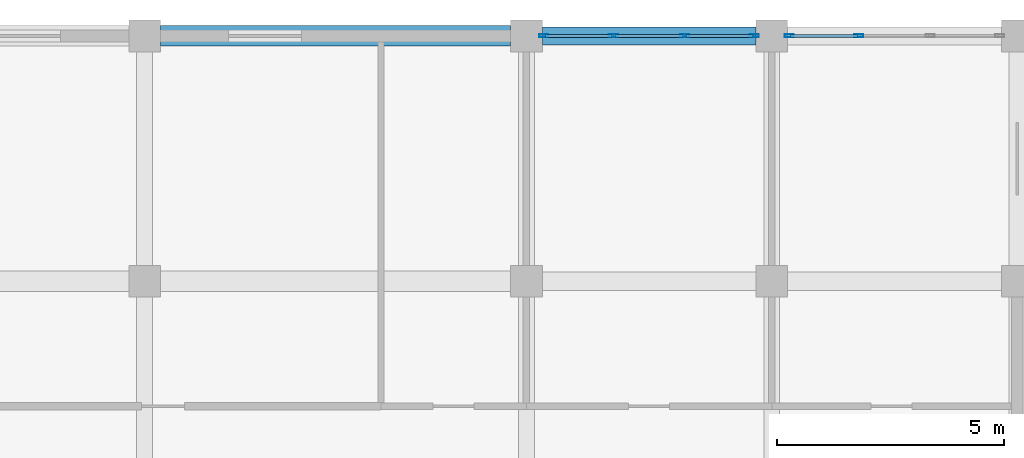
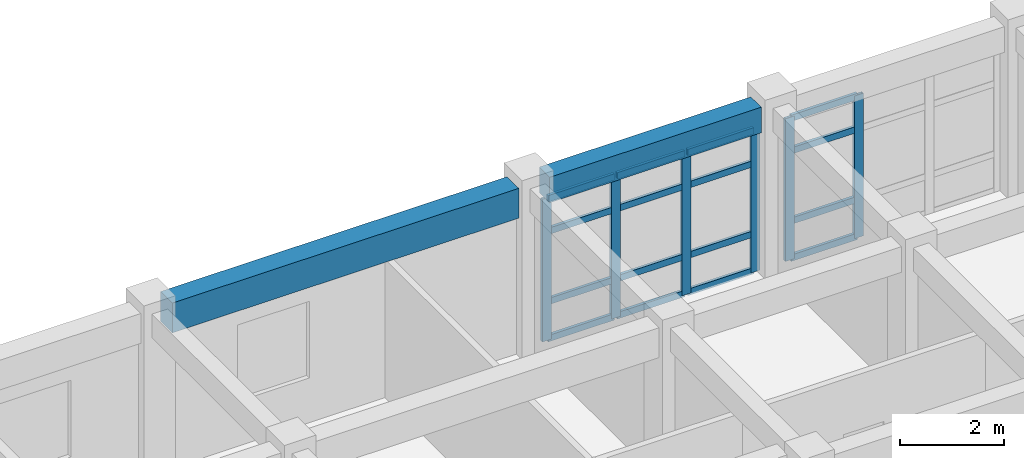
# One storey, part 15 of 23: 22 members, 2 beams, 2 elements without a shape of their own.
"""IFC4 building model written with IfcOpenShell, lengths in metres."""

from ifc_helpers import new_model, si_unit, direction, frame, origin, origin_2d, place, context, subcontext, project, spatial, rectangle, hollow_rectangle, extrude, material, layer, layer_set, material_profile, profile_set, type_object, element, aggregate, save


model = new_model("IFC4")

# Units and contexts
model_context = context("Model", 3, precision=1e-05, world=origin(), true_north=direction((0.0, 1.0)))
body_context = subcontext(model_context, "Body", "Model", "MODEL_VIEW")
ifc_project = project(units=[si_unit("LENGTHUNIT", "METRE"), si_unit("AREAUNIT", "SQUARE_METRE"), si_unit("VOLUMEUNIT", "CUBIC_METRE"), si_unit("PLANEANGLEUNIT", "RADIAN"), si_unit("MASSUNIT", "GRAM", prefix="KILO")], contexts=[model_context])

# Site, building, storey
site_placement = place(None, origin())
site = spatial("IfcSite", under=ifc_project, at=site_placement, CompositionType="ELEMENT")
building_placement = place(site_placement, origin())
building = spatial("IfcBuilding", under=site, at=building_placement, Name="Krzemoval Escarpment Law Courts", CompositionType="ELEMENT")
storey_placement = place(building_placement, frame((0.0, 0.0, 33.60009765625)))
storey = spatial("IfcBuildingStorey", under=building, at=storey_placement, Name="L07", CompositionType="ELEMENT", Elevation=33.60009765625)

# Beams
ifc_material_1 = material(Name="Concrete C40/50", Category="concrete")
ifc_material_profile_1 = material_profile(ifc_material_1, rectangle(XDim=0.39990234375, YDim=0.60009765625, at=origin_2d()), Name="RCB 400x600")
ifc_profile_set_1 = profile_set([ifc_material_profile_1], Name="Concrete C40/50")
beam_type_1 = type_object("IfcBeamType", Name="BM-RC-400x600", PredefinedType="BEAM", material=ifc_profile_set_1)
beam_1_placement = place(storey_placement, frame((151.550048828125, 118.800048828125, 3.64990234375), z_axis=(1.0, 0.0, 0.0), x_axis=(0.0, 1.0, 0.0)))
element("IfcBeam", 1, at=beam_1_placement, inside=storey, type_object=beam_type_1, Name="Beam FG-L07-2712", PredefinedType="BEAM", context=body_context, shape_type="SweptSolid", body=[
    extrude(rectangle(XDim=0.39990234375, YDim=0.60009765625, at=origin_2d()), origin(), (0.0, 0.0, 1.0), 4.699951171875),
])
ifc_material_2 = material(Name="Concrete C40/50", Category="concrete")
ifc_material_profile_2 = material_profile(ifc_material_2, rectangle(XDim=0.449951171875, YDim=0.699951171875, at=origin_2d()), Name="RCB 450x700")
ifc_profile_set_2 = profile_set([ifc_material_profile_2], Name="Concrete C40/50")
beam_type_2 = type_object("IfcBeamType", Name="BM-RC-450x700", PredefinedType="BEAM", material=ifc_profile_set_2)
beam_2_placement = place(storey_placement, frame((143.14990234375, 118.800048828125, 3.599853515625), z_axis=(1.0, 0.0, 0.0), x_axis=(0.0, 1.0, 0.0)))
element("IfcBeam", 2, at=beam_2_placement, inside=storey, type_object=beam_type_2, Name="Beam FG-L07-2711", PredefinedType="BEAM", context=body_context, shape_type="SweptSolid", body=[
    extrude(rectangle(XDim=0.449951171875, YDim=0.699951171875, at=origin_2d()), origin(), (0.0, 0.0, 1.0), 7.7001953125),
])

# Curtain wall, members
ifc_material_3 = material(Name="Aluminium 6063-T6", Category="aluminium")
ifc_layer = layer(ifc_material_3, 0.219970703125)
ifc_layer_set = layer_set([ifc_layer], Name="Aluminium 6063-T6")
curtain_wall_type = type_object("IfcCurtainWallType", Name="CW-CHMB-4200", PredefinedType="USERDEFINED", material=ifc_layer_set)
curtain_wall_1_placement = place(storey_placement, origin())
curtain_wall_1 = element("IfcCurtainWall", 3, at=curtain_wall_1_placement, inside=storey, type_object=curtain_wall_type, Name="Unitised Curtain Wall FCW-L07-158", ObjectType="UNITISED_CURTAIN_WALL", PredefinedType="USERDEFINED")
ifc_material_4 = material(Name="Aluminium 6063-T6", Category="aluminium")
ifc_material_profile_3 = material_profile(ifc_material_4, hollow_rectangle(XDim=0.06494140625, YDim=0.199951171875, WallThickness=0.00439453125, at=origin_2d()), Name="ALU M65x200")
ifc_profile_set_3 = profile_set([ifc_material_profile_3], Name="Aluminium 6063-T6")
member_type_1 = type_object("IfcMemberType", Name="CWM-65x200", PredefinedType="MULLION", material=ifc_profile_set_3)
member_1_placement = place(storey_placement, frame((151.58251953125, 118.800048828125, 0.0), z_axis=(0.0, 0.0, 1.0), x_axis=(0.0, 1.0, 0.0)))
member_1 = element("IfcMember", 4, at=member_1_placement, type_object=member_type_1, Name="FCW-L07-158 mullion 1", PredefinedType="MULLION", context=body_context, shape_type="SweptSolid", body=[
    extrude(hollow_rectangle(XDim=0.06494140625, YDim=0.199951171875, WallThickness=0.00439453125, at=origin_2d()), origin(), (0.0, 0.0, 1.0), 3.349853515625),
])
member_2_placement = place(storey_placement, frame((153.11669921875, 118.800048828125, 0.0), z_axis=(0.0, 0.0, 1.0), x_axis=(0.0, 1.0, 0.0)))
member_2 = element("IfcMember", 5, at=member_2_placement, type_object=member_type_1, Name="FCW-L07-158 mullion 2", PredefinedType="MULLION", context=body_context, shape_type="SweptSolid", body=[
    extrude(hollow_rectangle(XDim=0.06494140625, YDim=0.199951171875, WallThickness=0.00439453125, at=origin_2d()), origin(), (0.0, 0.0, 1.0), 3.349853515625),
])
member_3_placement = place(storey_placement, frame((154.683349609375, 118.800048828125, 0.0), z_axis=(0.0, 0.0, 1.0), x_axis=(0.0, 1.0, 0.0)))
member_3 = element("IfcMember", 6, at=member_3_placement, type_object=member_type_1, Name="FCW-L07-158 mullion 3", PredefinedType="MULLION", context=body_context, shape_type="SweptSolid", body=[
    extrude(hollow_rectangle(XDim=0.06494140625, YDim=0.199951171875, WallThickness=0.00439453125, at=origin_2d()), origin(), (0.0, 0.0, 1.0), 3.349853515625),
])
member_4_placement = place(storey_placement, frame((156.217529296875, 118.800048828125, 0.0), z_axis=(0.0, 0.0, 1.0), x_axis=(0.0, 1.0, 0.0)))
member_4 = element("IfcMember", 7, at=member_4_placement, type_object=member_type_1, Name="FCW-L07-158 mullion 4", PredefinedType="MULLION", context=body_context, shape_type="SweptSolid", body=[
    extrude(hollow_rectangle(XDim=0.06494140625, YDim=0.199951171875, WallThickness=0.00439453125, at=origin_2d()), origin(), (0.0, 0.0, 1.0), 3.349853515625),
])

curtain_wall_2_placement = place(storey_placement, origin())
curtain_wall_2 = element("IfcCurtainWall", 8, at=curtain_wall_2_placement, inside=storey, type_object=curtain_wall_type, Name="Unitised Curtain Wall FCW-L07-159", ObjectType="UNITISED_CURTAIN_WALL", PredefinedType="USERDEFINED")
member_5_placement = place(storey_placement, frame((156.982421875, 118.800048828125, 0.0), z_axis=(0.0, 0.0, 1.0), x_axis=(0.0, 1.0, 0.0)))
member_5 = element("IfcMember", 9, at=member_5_placement, type_object=member_type_1, Name="FCW-L07-159 mullion 1", PredefinedType="MULLION", context=body_context, shape_type="SweptSolid", body=[
    extrude(hollow_rectangle(XDim=0.06494140625, YDim=0.199951171875, WallThickness=0.00439453125, at=origin_2d()), origin(), (0.0, 0.0, 1.0), 3.349853515625),
])
member_6_placement = place(storey_placement, frame((158.5166015625, 118.800048828125, 0.0), z_axis=(0.0, 0.0, 1.0), x_axis=(0.0, 1.0, 0.0)))
member_6 = element("IfcMember", 10, at=member_6_placement, type_object=member_type_1, Name="FCW-L07-159 mullion 2", PredefinedType="MULLION", context=body_context, shape_type="SweptSolid", body=[
    extrude(hollow_rectangle(XDim=0.06494140625, YDim=0.199951171875, WallThickness=0.00439453125, at=origin_2d()), origin(), (0.0, 0.0, 1.0), 3.349853515625),
])

# Member
ifc_material_5 = material(Name="Aluminium 6063-T6", Category="aluminium")
ifc_material_profile_4 = material_profile(ifc_material_5, hollow_rectangle(XDim=0.06494140625, YDim=0.14990234375, WallThickness=0.00439453125, at=origin_2d()), Name="ALU T65x150")
ifc_profile_set_4 = profile_set([ifc_material_profile_4], Name="Aluminium 6063-T6")
member_type_2 = type_object("IfcMemberType", Name="CWT-65x150", PredefinedType="USERDEFINED", material=ifc_profile_set_4)
member_7_placement = place(storey_placement, frame((151.614990234375, 118.800048828125, 0.032470703125), z_axis=(1.0, 0.0, 0.0), x_axis=(0.0, 1.0, 0.0)))
member_7 = element("IfcMember", 11, at=member_7_placement, type_object=member_type_2, Name="FCW-L07-158 transom 1.1", ObjectType="TRANSOM", PredefinedType="USERDEFINED", context=body_context, shape_type="SweptSolid", body=[
    extrude(hollow_rectangle(XDim=0.06494140625, YDim=0.14990234375, WallThickness=0.00439453125, at=origin_2d()), origin(), (0.0, 0.0, 1.0), 1.46923828125),
])

member_8_placement = place(storey_placement, frame((151.614990234375, 118.800048828125, 0.89990234375), z_axis=(1.0, 0.0, 0.0), x_axis=(0.0, 1.0, 0.0)))
member_8 = element("IfcMember", 12, at=member_8_placement, type_object=member_type_2, Name="FCW-L07-158 transom 1.2", ObjectType="TRANSOM", PredefinedType="USERDEFINED", context=body_context, shape_type="SweptSolid", body=[
    extrude(hollow_rectangle(XDim=0.06494140625, YDim=0.14990234375, WallThickness=0.00439453125, at=origin_2d()), origin(), (0.0, 0.0, 1.0), 1.46923828125),
])

member_9_placement = place(storey_placement, frame((151.614990234375, 118.800048828125, 2.5498046875), z_axis=(1.0, 0.0, 0.0), x_axis=(0.0, 1.0, 0.0)))
member_9 = element("IfcMember", 13, at=member_9_placement, type_object=member_type_2, Name="FCW-L07-158 transom 1.3", ObjectType="TRANSOM", PredefinedType="USERDEFINED", context=body_context, shape_type="SweptSolid", body=[
    extrude(hollow_rectangle(XDim=0.06494140625, YDim=0.14990234375, WallThickness=0.00439453125, at=origin_2d()), origin(), (0.0, 0.0, 1.0), 1.46923828125),
])

member_10_placement = place(storey_placement, frame((151.614990234375, 118.800048828125, 3.3173828125), z_axis=(1.0, 0.0, 0.0), x_axis=(0.0, 1.0, 0.0)))
member_10 = element("IfcMember", 14, at=member_10_placement, type_object=member_type_2, Name="FCW-L07-158 transom 1.4", ObjectType="TRANSOM", PredefinedType="USERDEFINED", context=body_context, shape_type="SweptSolid", body=[
    extrude(hollow_rectangle(XDim=0.06494140625, YDim=0.14990234375, WallThickness=0.00439453125, at=origin_2d()), origin(), (0.0, 0.0, 1.0), 1.46923828125),
])

member_11_placement = place(storey_placement, frame((153.149169921875, 118.800048828125, 0.032470703125), z_axis=(1.0, 0.0, 0.0), x_axis=(0.0, 1.0, 0.0)))
member_11 = element("IfcMember", 15, at=member_11_placement, type_object=member_type_2, Name="FCW-L07-158 transom 2.1", ObjectType="TRANSOM", PredefinedType="USERDEFINED", context=body_context, shape_type="SweptSolid", body=[
    extrude(hollow_rectangle(XDim=0.06494140625, YDim=0.14990234375, WallThickness=0.00439453125, at=origin_2d()), origin(), (0.0, 0.0, 1.0), 1.501708984375),
])

member_12_placement = place(storey_placement, frame((153.149169921875, 118.800048828125, 0.89990234375), z_axis=(1.0, 0.0, 0.0), x_axis=(0.0, 1.0, 0.0)))
member_12 = element("IfcMember", 16, at=member_12_placement, type_object=member_type_2, Name="FCW-L07-158 transom 2.2", ObjectType="TRANSOM", PredefinedType="USERDEFINED", context=body_context, shape_type="SweptSolid", body=[
    extrude(hollow_rectangle(XDim=0.06494140625, YDim=0.14990234375, WallThickness=0.00439453125, at=origin_2d()), origin(), (0.0, 0.0, 1.0), 1.501708984375),
])

member_13_placement = place(storey_placement, frame((153.149169921875, 118.800048828125, 2.5498046875), z_axis=(1.0, 0.0, 0.0), x_axis=(0.0, 1.0, 0.0)))
member_13 = element("IfcMember", 17, at=member_13_placement, type_object=member_type_2, Name="FCW-L07-158 transom 2.3", ObjectType="TRANSOM", PredefinedType="USERDEFINED", context=body_context, shape_type="SweptSolid", body=[
    extrude(hollow_rectangle(XDim=0.06494140625, YDim=0.14990234375, WallThickness=0.00439453125, at=origin_2d()), origin(), (0.0, 0.0, 1.0), 1.501708984375),
])

member_14_placement = place(storey_placement, frame((153.149169921875, 118.800048828125, 3.3173828125), z_axis=(1.0, 0.0, 0.0), x_axis=(0.0, 1.0, 0.0)))
member_14 = element("IfcMember", 18, at=member_14_placement, type_object=member_type_2, Name="FCW-L07-158 transom 2.4", ObjectType="TRANSOM", PredefinedType="USERDEFINED", context=body_context, shape_type="SweptSolid", body=[
    extrude(hollow_rectangle(XDim=0.06494140625, YDim=0.14990234375, WallThickness=0.00439453125, at=origin_2d()), origin(), (0.0, 0.0, 1.0), 1.501708984375),
])

member_15_placement = place(storey_placement, frame((154.7158203125, 118.800048828125, 0.032470703125), z_axis=(1.0, 0.0, 0.0), x_axis=(0.0, 1.0, 0.0)))
member_15 = element("IfcMember", 19, at=member_15_placement, type_object=member_type_2, Name="FCW-L07-158 transom 3.1", ObjectType="TRANSOM", PredefinedType="USERDEFINED", context=body_context, shape_type="SweptSolid", body=[
    extrude(hollow_rectangle(XDim=0.06494140625, YDim=0.14990234375, WallThickness=0.00439453125, at=origin_2d()), origin(), (0.0, 0.0, 1.0), 1.46923828125),
])

member_16_placement = place(storey_placement, frame((154.7158203125, 118.800048828125, 0.89990234375), z_axis=(1.0, 0.0, 0.0), x_axis=(0.0, 1.0, 0.0)))
member_16 = element("IfcMember", 20, at=member_16_placement, type_object=member_type_2, Name="FCW-L07-158 transom 3.2", ObjectType="TRANSOM", PredefinedType="USERDEFINED", context=body_context, shape_type="SweptSolid", body=[
    extrude(hollow_rectangle(XDim=0.06494140625, YDim=0.14990234375, WallThickness=0.00439453125, at=origin_2d()), origin(), (0.0, 0.0, 1.0), 1.46923828125),
])

member_17_placement = place(storey_placement, frame((154.7158203125, 118.800048828125, 2.5498046875), z_axis=(1.0, 0.0, 0.0), x_axis=(0.0, 1.0, 0.0)))
member_17 = element("IfcMember", 21, at=member_17_placement, type_object=member_type_2, Name="FCW-L07-158 transom 3.3", ObjectType="TRANSOM", PredefinedType="USERDEFINED", context=body_context, shape_type="SweptSolid", body=[
    extrude(hollow_rectangle(XDim=0.06494140625, YDim=0.14990234375, WallThickness=0.00439453125, at=origin_2d()), origin(), (0.0, 0.0, 1.0), 1.46923828125),
])

member_18_placement = place(storey_placement, frame((154.7158203125, 118.800048828125, 3.3173828125), z_axis=(1.0, 0.0, 0.0), x_axis=(0.0, 1.0, 0.0)))
member_18 = element("IfcMember", 22, at=member_18_placement, type_object=member_type_2, Name="FCW-L07-158 transom 3.4", ObjectType="TRANSOM", PredefinedType="USERDEFINED", context=body_context, shape_type="SweptSolid", body=[
    extrude(hollow_rectangle(XDim=0.06494140625, YDim=0.14990234375, WallThickness=0.00439453125, at=origin_2d()), origin(), (0.0, 0.0, 1.0), 1.46923828125),
])

aggregate(curtain_wall_1, [member_1, member_2, member_3, member_4, member_7, member_8, member_9, member_10, member_11, member_12, member_13, member_14, member_15, member_16, member_17, member_18])

member_19_placement = place(storey_placement, frame((157.014892578125, 118.800048828125, 0.032470703125), z_axis=(1.0, 0.0, 0.0), x_axis=(0.0, 1.0, 0.0)))
member_19 = element("IfcMember", 23, at=member_19_placement, type_object=member_type_2, Name="FCW-L07-159 transom 1.1", ObjectType="TRANSOM", PredefinedType="USERDEFINED", context=body_context, shape_type="SweptSolid", body=[
    extrude(hollow_rectangle(XDim=0.06494140625, YDim=0.14990234375, WallThickness=0.00439453125, at=origin_2d()), origin(), (0.0, 0.0, 1.0), 1.46923828125),
])

member_20_placement = place(storey_placement, frame((157.014892578125, 118.800048828125, 0.89990234375), z_axis=(1.0, 0.0, 0.0), x_axis=(0.0, 1.0, 0.0)))
member_20 = element("IfcMember", 24, at=member_20_placement, type_object=member_type_2, Name="FCW-L07-159 transom 1.2", ObjectType="TRANSOM", PredefinedType="USERDEFINED", context=body_context, shape_type="SweptSolid", body=[
    extrude(hollow_rectangle(XDim=0.06494140625, YDim=0.14990234375, WallThickness=0.00439453125, at=origin_2d()), origin(), (0.0, 0.0, 1.0), 1.46923828125),
])

member_21_placement = place(storey_placement, frame((157.014892578125, 118.800048828125, 2.5498046875), z_axis=(1.0, 0.0, 0.0), x_axis=(0.0, 1.0, 0.0)))
member_21 = element("IfcMember", 25, at=member_21_placement, type_object=member_type_2, Name="FCW-L07-159 transom 1.3", ObjectType="TRANSOM", PredefinedType="USERDEFINED", context=body_context, shape_type="SweptSolid", body=[
    extrude(hollow_rectangle(XDim=0.06494140625, YDim=0.14990234375, WallThickness=0.00439453125, at=origin_2d()), origin(), (0.0, 0.0, 1.0), 1.46923828125),
])

member_22_placement = place(storey_placement, frame((157.014892578125, 118.800048828125, 3.3173828125), z_axis=(1.0, 0.0, 0.0), x_axis=(0.0, 1.0, 0.0)))
member_22 = element("IfcMember", 26, at=member_22_placement, type_object=member_type_2, Name="FCW-L07-159 transom 1.4", ObjectType="TRANSOM", PredefinedType="USERDEFINED", context=body_context, shape_type="SweptSolid", body=[
    extrude(hollow_rectangle(XDim=0.06494140625, YDim=0.14990234375, WallThickness=0.00439453125, at=origin_2d()), origin(), (0.0, 0.0, 1.0), 1.46923828125),
])

aggregate(curtain_wall_2, [member_5, member_6, member_19, member_20, member_21, member_22])

save(model, "model.ifc")
